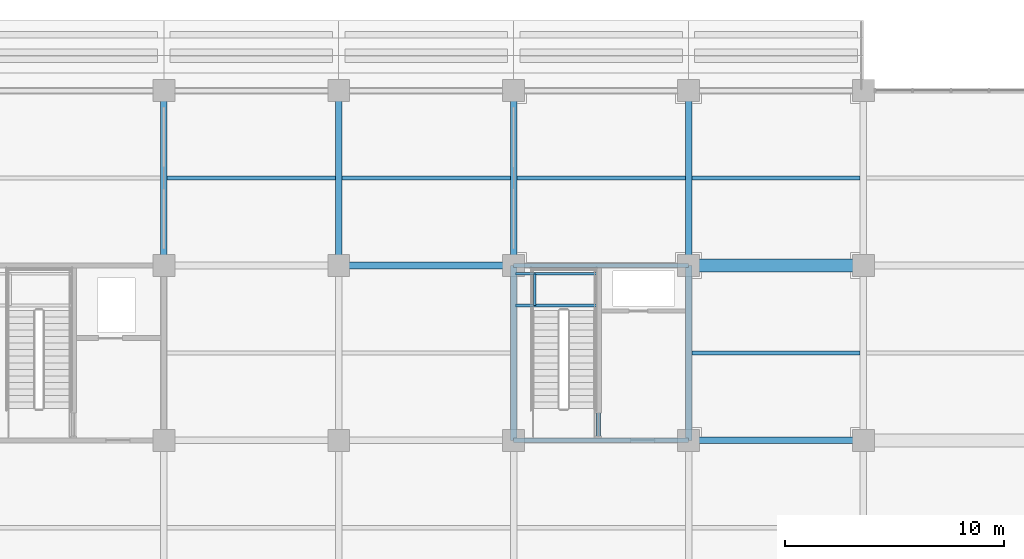
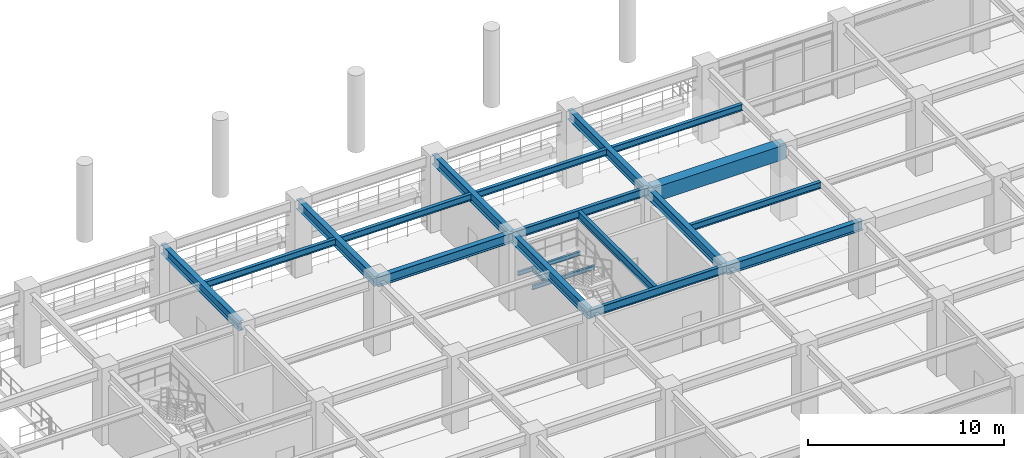
# One storey, part 16 of 117: 20 beams.
"""IFC4 building model written with IfcOpenShell, lengths in metres."""

from ifc_helpers import new_model, si_unit, direction, frame, origin, origin_2d, place, context, subcontext, project, spatial, rectangle, i_section, extrude, material, material_profile, profile_set, type_object, element, save


model = new_model("IFC4")

# Units and contexts
model_context = context("Model", 3, precision=1e-05, world=origin(), true_north=direction((0.0, 1.0)))
body_context = subcontext(model_context, "Body", "Model", "MODEL_VIEW")
ifc_project = project(units=[si_unit("LENGTHUNIT", "METRE"), si_unit("AREAUNIT", "SQUARE_METRE"), si_unit("VOLUMEUNIT", "CUBIC_METRE"), si_unit("PLANEANGLEUNIT", "RADIAN"), si_unit("MASSUNIT", "GRAM", prefix="KILO")], contexts=[model_context])

# Site, building, storey
site_placement = place(None, origin())
site = spatial("IfcSite", under=ifc_project, at=site_placement, CompositionType="ELEMENT")
building_placement = place(site_placement, origin())
building = spatial("IfcBuilding", under=site, at=building_placement, Name="Haebicheon Civic Stadium", CompositionType="ELEMENT")
storey_placement = place(building_placement, frame((0.0, 0.0, 4.800048828125)))
storey = spatial("IfcBuildingStorey", under=building, at=storey_placement, Name="L02", CompositionType="ELEMENT", Elevation=4.800048828125)

# Beams
ifc_material_1 = material(Name="Concrete C40/50", Category="concrete")
ifc_material_profile_1 = material_profile(ifc_material_1, rectangle(XDim=0.60009765625, YDim=0.89990234375, at=origin_2d()), Name="RC-BM-600x900")
ifc_profile_set_1 = profile_set([ifc_material_profile_1], Name="Concrete C40/50")
beam_type_1 = type_object("IfcBeamType", Name="BM-RC-600x900", PredefinedType="BEAM", material=ifc_profile_set_1)
beam_1_placement = place(storey_placement, frame((120.0, 24.0, 4.070068359375), z_axis=(1.0, 0.0, 0.0), x_axis=(0.0, 1.0, 0.0)))
element("IfcBeam", 1, at=beam_1_placement, inside=storey, type_object=beam_type_1, material=ifc_profile_set_1, Name="L02 beam D/16-17", PredefinedType="BEAM", context=body_context, shape_type="SweptSolid", body=[
    extrude(rectangle(XDim=0.60009765625, YDim=0.89990234375, at=origin_2d()), origin(), (0.0, 0.0, 1.0), 8.0),
])
ifc_material_2 = material(Name="Steel SM355 (S355)", Category="steel")
ifc_material_profile_2 = material_profile(ifc_material_2, i_section(OverallWidth=0.199951171875, OverallDepth=0.5, WebThickness=0.010009765625, FlangeThickness=0.01611328125, at=origin_2d()), Name="H-500x200x10x16")
ifc_profile_set_2 = profile_set([ifc_material_profile_2], Name="Steel SM355 (S355)")
beam_type_2 = type_object("IfcBeamType", Name="BM-ST-H500", PredefinedType="BEAM", material=ifc_profile_set_2)
for number, where, z_axis, x_axis, name in (
    (2, (112.0, 16.0, 4.27001953125), (1.0, 0.0, 0.0), (0.0, 1.0, 0.0), "L02 beam C/15-16"),
    (3, (112.0, 24.0, 4.27001953125), (1.0, 0.0, 0.0), (0.0, 1.0, 0.0), "L02 beam D/15-16"),
):
    element("IfcBeam", number, at=place(storey_placement, frame(where, z_axis=z_axis, x_axis=x_axis)), inside=storey, type_object=beam_type_2, material=ifc_profile_set_2, Name=name, PredefinedType="BEAM", context=body_context, shape_type="SweptSolid", body=[
        extrude(i_section(OverallWidth=0.199951171875, OverallDepth=0.5, WebThickness=0.010009765625, FlangeThickness=0.01611328125, at=origin_2d()), origin(), (0.0, 0.0, 1.0), 8.0),
    ])
beam_2_placement = place(storey_placement, frame((115.8798828125, 16.10009765625, 4.27001953125), z_axis=(0.0, 1.0, 0.0), x_axis=(-1.0, 0.0, 0.0)))
element("IfcBeam", 4, at=beam_2_placement, inside=storey, type_object=beam_type_2, material=ifc_profile_set_2, Name="L02 KC-07 core dividing wall support beam", PredefinedType="BEAM", context=body_context, shape_type="SweptSolid", body=[
    extrude(i_section(OverallWidth=0.199951171875, OverallDepth=0.5, WebThickness=0.010009765625, FlangeThickness=0.01611328125, at=origin_2d()), origin(), (0.0, 0.0, 1.0), 7.7998046875),
])
ifc_material_3 = material(Name="Steel SM355 (S355)", Category="steel")
ifc_material_profile_3 = material_profile(ifc_material_3, i_section(OverallWidth=0.300048828125, OverallDepth=0.60009765625, WebThickness=0.011962890625, FlangeThickness=0.02001953125, at=origin_2d()), Name="H-600x300x12x20")
ifc_profile_set_3 = profile_set([ifc_material_profile_3], Name="Steel SM355 (S355)")
beam_type_3 = type_object("IfcBeamType", Name="BM-ST-H600A", PredefinedType="BEAM", material=ifc_profile_set_3)
for number, where, z_axis, x_axis, name in (
    (5, (96.0, 24.0, 4.219970703125), (0.0, 1.0, 0.0), (-1.0, 0.0, 0.0), "L02 girder 13/D-E"),
    (6, (104.0, 24.0, 4.219970703125), (0.0, 1.0, 0.0), (-1.0, 0.0, 0.0), "L02 girder 14/D-E"),
    (7, (112.0, 16.0, 4.219970703125), (0.0, 1.0, 0.0), (-1.0, 0.0, 0.0), "L02 girder 15/C-D"),
    (8, (112.0, 24.0, 4.219970703125), (0.0, 1.0, 0.0), (-1.0, 0.0, 0.0), "L02 girder 15/D-E"),
    (9, (120.0, 16.0, 4.219970703125), (0.0, 1.0, 0.0), (-1.0, 0.0, 0.0), "L02 girder 16/C-D"),
    (10, (120.0, 24.0, 4.219970703125), (0.0, 1.0, 0.0), (-1.0, 0.0, 0.0), "L02 girder 16/D-E"),
    (11, (104.0, 24.0, 4.219970703125), (1.0, 0.0, 0.0), (0.0, 1.0, 0.0), "L02 beam D/14-15"),
    (12, (120.0, 16.0, 4.219970703125), (1.0, 0.0, 0.0), (0.0, 1.0, 0.0), "L02 beam C/16-17"),
):
    element("IfcBeam", number, at=place(storey_placement, frame(where, z_axis=z_axis, x_axis=x_axis)), inside=storey, type_object=beam_type_3, material=ifc_profile_set_3, Name=name, PredefinedType="BEAM", context=body_context, shape_type="SweptSolid", body=[
        extrude(i_section(OverallWidth=0.300048828125, OverallDepth=0.60009765625, WebThickness=0.011962890625, FlangeThickness=0.02001953125, at=origin_2d()), origin(), (0.0, 0.0, 1.0), 8.0),
    ])
ifc_material_4 = material(Name="Steel SM355 (S355)", Category="steel")
ifc_material_profile_4 = material_profile(ifc_material_4, i_section(OverallWidth=0.125, OverallDepth=0.25, WebThickness=0.006103515625, FlangeThickness=0.009033203125, at=origin_2d()), Name="H-250x125x6x9")
ifc_profile_set_4 = profile_set([ifc_material_profile_4], Name="Steel SM355 (S355)")
beam_type_4 = type_object("IfcBeamType", Name="JST-ST-H250", PredefinedType="JOIST", material=ifc_profile_set_4)
for number, where, z_axis, x_axis, name in (
    (13, (112.080078125, 22.169921875, 2.072021484375), (1.0, 0.0, 0.0), (0.0, 1.0, 0.0), "KC-07 L02 stair half-landing front trimmer beam"),
    (14, (112.080078125, 23.6201171875, 2.072021484375), (1.0, 0.0, 0.0), (0.0, 1.0, 0.0), "KC-07 L02 stair half-landing rear trimmer beam"),
):
    element("IfcBeam", number, at=place(storey_placement, frame(where, z_axis=z_axis, x_axis=x_axis)), inside=storey, type_object=beam_type_4, material=ifc_profile_set_4, Name=name, PredefinedType="JOIST", context=body_context, shape_type="SweptSolid", body=[
        extrude(i_section(OverallWidth=0.125, OverallDepth=0.25, WebThickness=0.006103515625, FlangeThickness=0.009033203125, at=origin_2d()), origin(), (0.0, 0.0, 1.0), 3.719970703125),
    ])
beam_3_placement = place(storey_placement, frame((112.9599609375, 22.169921875, 2.072021484375), z_axis=(0.0, 1.0, 0.0), x_axis=(-1.0, 0.0, 0.0)))
element("IfcBeam", 15, at=beam_3_placement, inside=storey, type_object=beam_type_4, material=ifc_profile_set_4, Name="KC-07 L02 stair half-landing transverse tie beam", PredefinedType="JOIST", context=body_context, shape_type="SweptSolid", body=[
    extrude(i_section(OverallWidth=0.125, OverallDepth=0.25, WebThickness=0.006103515625, FlangeThickness=0.009033203125, at=origin_2d()), origin(), (0.0, 0.0, 1.0), 1.4501953125),
])
ifc_material_5 = material(Name="Steel SM355 (S355)", Category="steel")
ifc_material_profile_5 = material_profile(ifc_material_5, i_section(OverallWidth=0.199951171875, OverallDepth=0.39990234375, WebThickness=0.008056640625, FlangeThickness=0.012939453125, at=origin_2d()), Name="H-400x200x8x13")
ifc_profile_set_5 = profile_set([ifc_material_profile_5], Name="Steel SM355 (S355)")
beam_type_5 = type_object("IfcBeamType", Name="JST-ST-H400", PredefinedType="JOIST", material=ifc_profile_set_5)
for number, where, z_axis, x_axis, name in (
    (16, (96.14990234375, 28.0, 4.320068359375), (1.0, 0.0, 0.0), (0.0, 1.0, 0.0), "L02 secondary joist 12-03"),
    (17, (104.14990234375, 28.0, 4.320068359375), (1.0, 0.0, 0.0), (0.0, 1.0, 0.0), "L02 secondary joist 13-03"),
    (18, (112.14990234375, 28.0, 4.320068359375), (1.0, 0.0, 0.0), (0.0, 1.0, 0.0), "L02 secondary joist 14-03"),
    (19, (120.14990234375, 20.0, 4.320068359375), (1.0, 0.0, 0.0), (0.0, 1.0, 0.0), "L02 secondary joist 15-02"),
    (20, (120.14990234375, 28.0, 4.320068359375), (1.0, 0.0, 0.0), (0.0, 1.0, 0.0), "L02 secondary joist 15-03"),
):
    element("IfcBeam", number, at=place(storey_placement, frame(where, z_axis=z_axis, x_axis=x_axis)), inside=storey, type_object=beam_type_5, material=ifc_profile_set_5, Name=name, PredefinedType="JOIST", context=body_context, shape_type="SweptSolid", body=[
        extrude(i_section(OverallWidth=0.199951171875, OverallDepth=0.39990234375, WebThickness=0.008056640625, FlangeThickness=0.012939453125, at=origin_2d()), origin(), (0.0, 0.0, 1.0), 7.7001953125),
    ])

save(model, "model.ifc")
